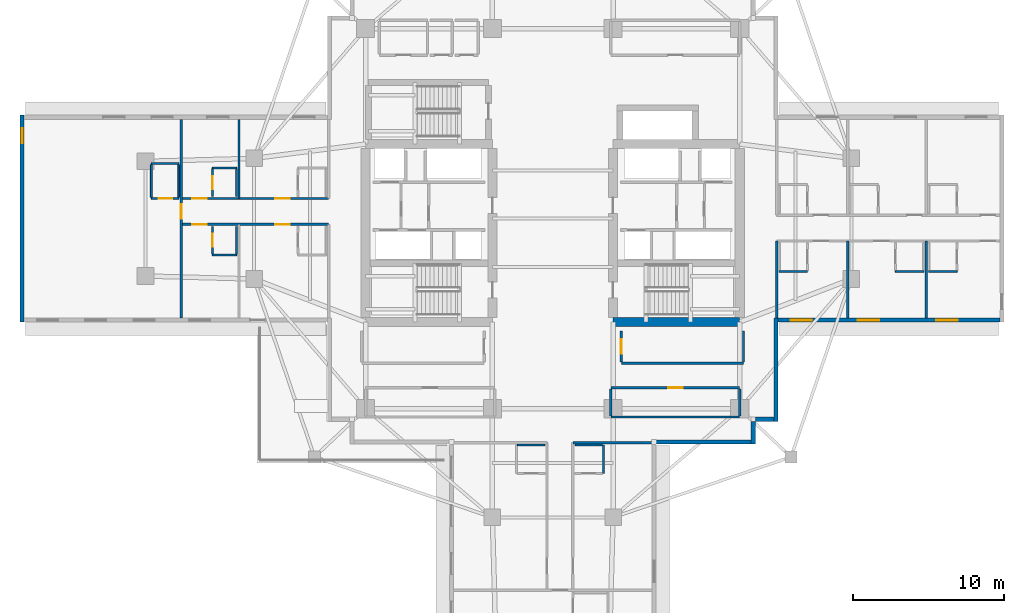
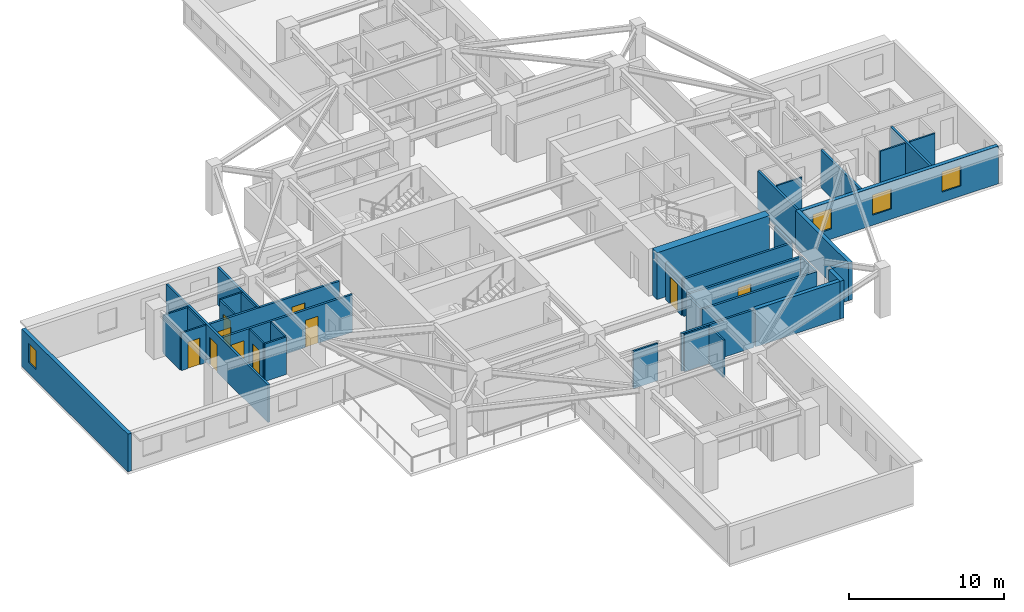
# One storey, part 4 of 13: 38 walls, 10 doors, 4 windows, 14 openings.
"""IFC4 building model written with IfcOpenShell, lengths in metres."""

from ifc_helpers import new_model, si_unit, direction, frame, frame_2d, origin, place, context, subcontext, project, spatial, rectangle, extrude, material, layer, layer_set, type_object, element, fill, save


model = new_model("IFC4")

# Units and contexts
model_context = context("Model", 3, precision=1e-05, world=origin(), true_north=direction((0.0, 1.0)))
body_context = subcontext(model_context, "Body", "Model", "MODEL_VIEW")
ifc_project = project(units=[si_unit("LENGTHUNIT", "METRE"), si_unit("AREAUNIT", "SQUARE_METRE"), si_unit("VOLUMEUNIT", "CUBIC_METRE"), si_unit("PLANEANGLEUNIT", "RADIAN"), si_unit("MASSUNIT", "GRAM", prefix="KILO")], contexts=[model_context])

# Site, building, storey
site_placement = place(None, origin())
site = spatial("IfcSite", under=ifc_project, at=site_placement, CompositionType="ELEMENT")
building_placement = place(site_placement, origin())
building = spatial("IfcBuilding", under=site, at=building_placement, Name="Qingluan Cross Belvedere", CompositionType="ELEMENT")
storey_placement = place(building_placement, frame((0.0, 0.0, 104.699951171875)))
storey = spatial("IfcBuildingStorey", under=building, at=storey_placement, Name="L26", CompositionType="ELEMENT", Elevation=104.699951171875)

# Walls
ifc_material_1 = material(Name="Concrete C60", Category="concrete")
ifc_layer_1 = layer(ifc_material_1, 0.60009765625, Name="CoreShearWall_600")
ifc_layer_set_1 = layer_set([ifc_layer_1], Name="Concrete C60")
wall_type_1 = type_object("IfcWallType", Name="CoreShearWall_600", PredefinedType="SHEAR", material=ifc_layer_set_1)
wall_1_placement = place(storey_placement, frame((4.0, -6.85009765625, 0.0), z_axis=(0.0, 0.0, 1.0), x_axis=(1.0, 0.0, 0.0)))
element("IfcWall", 1, at=wall_1_placement, inside=storey, type_object=wall_type_1, Name="Split core E shear wall L26-S", PredefinedType="SHEAR", context=body_context, shape_type="SweptSolid", body=[
    extrude(rectangle(XDim=8.39990234375, YDim=0.60009765625, at=frame_2d((4.199951171875, 0.0))), origin(), (0.0, 0.0, 1.0), 3.699951171875),
])
ifc_material_2 = material(Name="Gypsum plasterboard on steel stud acoustic partition", Category="steel")
ifc_layer_2 = layer(ifc_material_2, 0.159912109375, Name="CorridorPartition_160")
ifc_layer_set_2 = layer_set([ifc_layer_2], Name="Gypsum plasterboard on steel stud acoustic partition")
wall_type_2 = type_object("IfcWallType", Name="CorridorPartition_160", PredefinedType="PARTITIONING", material=ifc_layer_set_2)
wall_2_placement = place(storey_placement, frame((3.85009765625, -13.14990234375, 0.0), z_axis=(0.0, 0.0, 1.0), x_axis=(1.0, 0.0, 0.0)))
element("IfcWall", 2, at=wall_2_placement, inside=storey, type_object=wall_type_2, Name="Partition L26:q_se:S", PredefinedType="PARTITIONING", context=body_context, shape_type="SweptSolid", body=[
    extrude(rectangle(XDim=8.5498046875, YDim=0.159912109375, at=frame_2d((4.27490234375, 0.0))), origin(), (0.0, 0.0, 1.0), 2.9599609375),
])

# Wall, opening, door
wall_3_placement = place(storey_placement, frame((3.85009765625, -11.199951171875, 0.0), z_axis=(0.0, 0.0, 1.0), x_axis=(1.0, 0.0, 0.0)))
wall_3 = element("IfcWall", 3, at=wall_3_placement, inside=storey, type_object=wall_type_2, Name="Partition L26:q_se:N", PredefinedType="PARTITIONING", context=body_context, shape_type="SweptSolid", body=[
    extrude(rectangle(XDim=8.5498046875, YDim=0.159912109375, at=frame_2d((4.27490234375, 0.0))), origin(), (0.0, 0.0, 1.0), 2.9599609375),
])
opening_1_placement = place(wall_3_placement, frame((3.794921875, 0.0, 0.0)))
opening_1 = element("IfcOpeningElement", 4, at=opening_1_placement, cuts=wall_3, Name="Opening GD-10", PredefinedType="OPENING", context=body_context, shape_type="SweptSolid", body=[
    extrude(rectangle(XDim=0.9599609375, YDim=2.14990234375, at=frame_2d((0.47998046875, 1.074951171875))), frame((0.0, 0.08984375, 0.0), z_axis=(0.0, -1.0, 0.0), x_axis=(1.0, 0.0, 0.0)), (0.0, 0.0, 1.0), 0.179931640625),
])
ifc_material_3 = material(Name="Timber oak fire-rated acoustic guestroom door", Category="wood")
door_type_1 = type_object("IfcDoorType", Name="GuestEntryDoor_FD60", OperationType="NOTDEFINED", PredefinedType="DOOR", material=ifc_material_3)
door_1_placement = place(opening_1_placement, origin())
door_1 = element("IfcDoor", 5, at=door_1_placement, inside=storey, type_object=door_type_1, Name="Concierge business office L26 door", OperationType="SINGLE_SWING_LEFT", OverallHeight=2.14990234375, OverallWidth=0.9599609375, PredefinedType="DOOR", context=body_context, shape_type="SweptSolid", body=[
    extrude(rectangle(XDim=0.9599609375, YDim=2.14990234375, at=frame_2d((0.47998046875, 1.074951171875))), frame((0.0, 0.02490234375, 0.0), z_axis=(0.0, -1.0, 0.0), x_axis=(1.0, 0.0, 0.0)), (0.0, 0.0, 1.0), 0.050048828125),
])
fill(opening_1, door_1)

# Walls
for number, where, z_axis, x_axis, name in (
    (6, (3.85009765625, -13.06494140625, 0.0), (0.0, 0.0, 1.0), (0.0, 1.0, 0.0), "Partition L26:q_se:W"),
    (7, (12.39990234375, -13.06494140625, 0.0), (0.0, 0.0, 1.0), (0.0, 1.0, 0.0), "Partition L26:q_se:E"),
):
    element("IfcWall", number, at=place(storey_placement, frame(where, z_axis=z_axis, x_axis=x_axis)), inside=storey, type_object=wall_type_2, Name=name, PredefinedType="PARTITIONING", context=body_context, shape_type="SweptSolid", body=[
        extrude(rectangle(XDim=1.780029296875, YDim=0.159912109375, at=frame_2d((0.89013671875, 0.0))), origin(), (0.0, 0.0, 1.0), 2.9599609375),
    ])
wall_4_placement = place(storey_placement, frame((4.550048828125, -9.580078125, 0.0), z_axis=(0.0, 0.0, 1.0), x_axis=(1.0, 0.0, 0.0)))
element("IfcWall", 8, at=wall_4_placement, inside=storey, type_object=wall_type_2, Name="Partition L26:rec_st4:S", PredefinedType="PARTITIONING", context=body_context, shape_type="SweptSolid", body=[
    extrude(rectangle(XDim=8.099853515625, YDim=0.159912109375, at=frame_2d((4.0498046875, 0.0))), origin(), (0.0, 0.0, 1.0), 2.9599609375),
])

# Wall, opening, door
wall_5_placement = place(storey_placement, frame((4.550048828125, -9.4951171875, 0.0), z_axis=(0.0, 0.0, 1.0), x_axis=(0.0, 1.0, 0.0)))
wall_5 = element("IfcWall", 9, at=wall_5_placement, inside=storey, type_object=wall_type_2, Name="Partition L26:rec_st4:W", PredefinedType="PARTITIONING", context=body_context, shape_type="SweptSolid", body=[
    extrude(rectangle(XDim=2.06005859375, YDim=0.159912109375, at=frame_2d((1.030029296875, 0.0))), origin(), (0.0, 0.0, 1.0), 2.9599609375),
])
opening_2_placement = place(wall_5_placement, frame((0.550048828125, 0.0, 0.0)))
opening_2 = element("IfcOpeningElement", 10, at=opening_2_placement, cuts=wall_5, Name="Opening GD-10", PredefinedType="OPENING", context=body_context, shape_type="SweptSolid", body=[
    extrude(rectangle(XDim=0.9599609375, YDim=2.14990234375, at=frame_2d((0.47998046875, 1.074951171875))), frame((0.0, 0.08984375, 0.0), z_axis=(0.0, -1.0, 0.0), x_axis=(1.0, 0.0, 0.0)), (0.0, 0.0, 1.0), 0.179931640625),
])
door_2_placement = place(opening_2_placement, origin())
door_2 = element("IfcDoor", 11, at=door_2_placement, inside=storey, type_object=door_type_1, Name="Southeast club library room L26 door", OperationType="SINGLE_SWING_RIGHT", OverallHeight=2.14990234375, OverallWidth=0.9599609375, PredefinedType="DOOR", context=body_context, shape_type="SweptSolid", body=[
    extrude(rectangle(XDim=0.9599609375, YDim=2.14990234375, at=frame_2d((0.47998046875, 1.074951171875))), frame((0.0, 0.02490234375, 0.0), z_axis=(0.0, -1.0, 0.0), x_axis=(1.0, 0.0, 0.0)), (0.0, 0.0, 1.0), 0.050048828125),
])
fill(opening_2, door_2)

# Walls
wall_6_placement = place(storey_placement, frame((12.64990234375, -9.4951171875, 0.0), z_axis=(0.0, 0.0, 1.0), x_axis=(0.0, 1.0, 0.0)))
element("IfcWall", 12, at=wall_6_placement, inside=storey, type_object=wall_type_2, Name="Partition L26:rec_st4:E", PredefinedType="PARTITIONING", context=body_context, shape_type="SweptSolid", body=[
    extrude(rectangle(XDim=2.06005859375, YDim=0.159912109375, at=frame_2d((1.030029296875, 0.0))), origin(), (0.0, 0.0, 1.0), 2.9599609375),
])
for number, where, z_axis, x_axis, name in (
    (13, (14.85009765625, -1.47998046875, 0.0), (0.0, 0.0, 1.0), (0.0, -1.0, 0.0), "Partition L26:E:s1"),
    (14, (19.552978515625, -1.47998046875, 0.0), (0.0, 0.0, 1.0), (0.0, -1.0, 0.0), "Partition L26:E:d1_0"),
    (15, (24.763916015625, -1.47998046875, 0.0), (0.0, 0.0, 1.0), (0.0, -1.0, 0.0), "Partition L26:E:d1_1"),
):
    element("IfcWall", number, at=place(storey_placement, frame(where, z_axis=z_axis, x_axis=x_axis)), inside=storey, type_object=wall_type_2, Name=name, PredefinedType="PARTITIONING", context=body_context, shape_type="SweptSolid", body=[
        extrude(rectangle(XDim=5.092041015625, YDim=0.159912109375, at=frame_2d((2.5458984375, 0.0))), origin(), (0.0, 0.0, 1.0), 2.9599609375),
    ])

# Wall, openings, doors
wall_7_placement = place(storey_placement, frame((-14.85009765625, 1.340087890625, 0.0), z_axis=(0.0, 0.0, 1.0), x_axis=(-1.0, 0.0, 0.0)))
wall_7 = element("IfcWall", 16, at=wall_7_placement, inside=storey, type_object=wall_type_2, Name="Partition L26:W:c0", PredefinedType="PARTITIONING", context=body_context, shape_type="SweptSolid", body=[
    extrude(rectangle(XDim=9.699951171875, YDim=0.159912109375, at=frame_2d((4.85009765625, 0.0))), origin(), (0.0, 0.0, 1.0), 2.9599609375),
])
opening_3_placement = place(wall_7_placement, frame((2.574951171875, 0.0, 0.0)))
opening_3 = element("IfcOpeningElement", 17, at=opening_3_placement, cuts=wall_7, Name="Opening GD-10", PredefinedType="OPENING", context=body_context, shape_type="SweptSolid", body=[
    extrude(rectangle(XDim=0.9599609375, YDim=2.14990234375, at=frame_2d((0.47998046875, 1.074951171875))), frame((0.0, 0.08984375, 0.0), z_axis=(0.0, -1.0, 0.0), x_axis=(1.0, 0.0, 0.0)), (0.0, 0.0, 1.0), 0.179931640625),
])
opening_4_placement = place(wall_7_placement, frame((8.096923828125, 0.0, 0.0)))
opening_4 = element("IfcOpeningElement", 18, at=opening_4_placement, cuts=wall_7, Name="Opening GD-10", PredefinedType="OPENING", context=body_context, shape_type="SweptSolid", body=[
    extrude(rectangle(XDim=0.9599609375, YDim=2.14990234375, at=frame_2d((0.47998046875, 1.074951171875))), frame((0.0, 0.08984375, 0.0), z_axis=(0.0, -1.0, 0.0), x_axis=(1.0, 0.0, 0.0)), (0.0, 0.0, 1.0), 0.179931640625),
])
door_3_placement = place(opening_3_placement, origin())
door_3 = element("IfcDoor", 19, at=door_3_placement, inside=storey, type_object=door_type_1, Name="Guest entry fire door 2607", OperationType="SINGLE_SWING_RIGHT", OverallHeight=2.14990234375, OverallWidth=0.9599609375, PredefinedType="DOOR", context=body_context, shape_type="SweptSolid", body=[
    extrude(rectangle(XDim=0.9599609375, YDim=2.14990234375, at=frame_2d((0.47998046875, 1.074951171875))), frame((0.0, 0.02490234375, 0.0), z_axis=(0.0, -1.0, 0.0), x_axis=(1.0, 0.0, 0.0)), (0.0, 0.0, 1.0), 0.050048828125),
])
fill(opening_3, door_3)
door_4_placement = place(opening_4_placement, origin())
door_4 = element("IfcDoor", 20, at=door_4_placement, inside=storey, type_object=door_type_1, Name="Guest entry fire door 2608", OperationType="SINGLE_SWING_RIGHT", OverallHeight=2.14990234375, OverallWidth=0.9599609375, PredefinedType="DOOR", context=body_context, shape_type="SweptSolid", body=[
    extrude(rectangle(XDim=0.9599609375, YDim=2.14990234375, at=frame_2d((0.47998046875, 1.074951171875))), frame((0.0, 0.02490234375, 0.0), z_axis=(0.0, -1.0, 0.0), x_axis=(1.0, 0.0, 0.0)), (0.0, 0.0, 1.0), 0.050048828125),
])
fill(opening_4, door_4)

# Wall
wall_8_placement = place(storey_placement, frame((-20.800048828125, 1.340087890625, 0.0), z_axis=(0.0, 0.0, 1.0), x_axis=(0.0, 1.0, 0.0)))
element("IfcWall", 21, at=wall_8_placement, inside=storey, type_object=wall_type_2, Name="Partition L26:W:d0_0", PredefinedType="PARTITIONING", context=body_context, shape_type="SweptSolid", body=[
    extrude(rectangle(XDim=5.23193359375, YDim=0.159912109375, at=frame_2d((2.615966796875, 0.0))), origin(), (0.0, 0.0, 1.0), 2.9599609375),
])

# Wall, openings, doors
wall_9_placement = place(storey_placement, frame((-14.85009765625, -0.3798828125, 0.0), z_axis=(0.0, 0.0, 1.0), x_axis=(-1.0, 0.0, 0.0)))
wall_9 = element("IfcWall", 22, at=wall_9_placement, inside=storey, type_object=wall_type_2, Name="Partition L26:W:c1", PredefinedType="PARTITIONING", context=body_context, shape_type="SweptSolid", body=[
    extrude(rectangle(XDim=9.699951171875, YDim=0.159912109375, at=frame_2d((4.85009765625, 0.0))), origin(), (0.0, 0.0, 1.0), 2.9599609375),
])
opening_5_placement = place(wall_9_placement, frame((2.574951171875, 0.0, 0.0)))
opening_5 = element("IfcOpeningElement", 23, at=opening_5_placement, cuts=wall_9, Name="Opening GD-10", PredefinedType="OPENING", context=body_context, shape_type="SweptSolid", body=[
    extrude(rectangle(XDim=0.9599609375, YDim=2.14990234375, at=frame_2d((0.47998046875, 1.074951171875))), frame((0.0, 0.08984375, 0.0), z_axis=(0.0, -1.0, 0.0), x_axis=(1.0, 0.0, 0.0)), (0.0, 0.0, 1.0), 0.179931640625),
])
opening_6_placement = place(wall_9_placement, frame((8.096923828125, 0.0, 0.0)))
opening_6 = element("IfcOpeningElement", 24, at=opening_6_placement, cuts=wall_9, Name="Opening GD-10", PredefinedType="OPENING", context=body_context, shape_type="SweptSolid", body=[
    extrude(rectangle(XDim=0.9599609375, YDim=2.14990234375, at=frame_2d((0.47998046875, 1.074951171875))), frame((0.0, 0.08984375, 0.0), z_axis=(0.0, -1.0, 0.0), x_axis=(1.0, 0.0, 0.0)), (0.0, 0.0, 1.0), 0.179931640625),
])
door_5_placement = place(opening_5_placement, origin())
door_5 = element("IfcDoor", 25, at=door_5_placement, inside=storey, type_object=door_type_1, Name="Guest entry fire door 2609", OperationType="SINGLE_SWING_RIGHT", OverallHeight=2.14990234375, OverallWidth=0.9599609375, PredefinedType="DOOR", context=body_context, shape_type="SweptSolid", body=[
    extrude(rectangle(XDim=0.9599609375, YDim=2.14990234375, at=frame_2d((0.47998046875, 1.074951171875))), frame((0.0, 0.02490234375, 0.0), z_axis=(0.0, -1.0, 0.0), x_axis=(1.0, 0.0, 0.0)), (0.0, 0.0, 1.0), 0.050048828125),
])
fill(opening_5, door_5)
door_6_placement = place(opening_6_placement, origin())
door_6 = element("IfcDoor", 26, at=door_6_placement, inside=storey, type_object=door_type_1, Name="Guest entry fire door 2610", OperationType="SINGLE_SWING_RIGHT", OverallHeight=2.14990234375, OverallWidth=0.9599609375, PredefinedType="DOOR", context=body_context, shape_type="SweptSolid", body=[
    extrude(rectangle(XDim=0.9599609375, YDim=2.14990234375, at=frame_2d((0.47998046875, 1.074951171875))), frame((0.0, 0.02490234375, 0.0), z_axis=(0.0, -1.0, 0.0), x_axis=(1.0, 0.0, 0.0)), (0.0, 0.0, 1.0), 0.050048828125),
])
fill(opening_6, door_6)

# Wall
wall_10_placement = place(storey_placement, frame((1.340087890625, -14.85009765625, 0.0), z_axis=(0.0, 0.0, 1.0), x_axis=(1.0, 0.0, 0.0)))
element("IfcWall", 27, at=wall_10_placement, inside=storey, type_object=wall_type_2, Name="Partition L26:S:s0", PredefinedType="PARTITIONING", context=body_context, shape_type="SweptSolid", body=[
    extrude(rectangle(XDim=5.3798828125, YDim=0.159912109375, at=frame_2d((2.68994140625, 0.0))), origin(), (0.0, 0.0, 1.0), 2.9599609375),
])

# Wall, opening, door
wall_11_placement = place(storey_placement, frame((-24.6298828125, -6.572021484375, 0.0), z_axis=(0.0, 0.0, 1.0), x_axis=(0.0, 1.0, 0.0)))
wall_11 = element("IfcWall", 28, at=wall_11_placement, inside=storey, type_object=wall_type_2, Name="Partition L26:Wcap:in", PredefinedType="PARTITIONING", context=body_context, shape_type="SweptSolid", body=[
    extrude(rectangle(XDim=13.14404296875, YDim=0.159912109375, at=frame_2d((6.572021484375, 0.0))), origin(), (0.0, 0.0, 1.0), 2.9599609375),
])
opening_7_placement = place(wall_11_placement, frame((6.572021484375, 0.0, 0.0)))
opening_7 = element("IfcOpeningElement", 29, at=opening_7_placement, cuts=wall_11, Name="Opening GD-10", PredefinedType="OPENING", context=body_context, shape_type="SweptSolid", body=[
    extrude(rectangle(XDim=0.9599609375, YDim=2.14990234375, at=frame_2d((0.47998046875, 1.074951171875))), frame((0.0, 0.08984375, 0.0), z_axis=(0.0, -1.0, 0.0), x_axis=(1.0, 0.0, 0.0)), (0.0, 0.0, 1.0), 0.179931640625),
])
door_7_placement = place(opening_7_placement, origin())
door_7 = element("IfcDoor", 30, at=door_7_placement, inside=storey, type_object=door_type_1, Name="Presidential suite entrance door L26W", OperationType="SINGLE_SWING_LEFT", OverallHeight=2.14990234375, OverallWidth=0.9599609375, PredefinedType="DOOR", context=body_context, shape_type="SweptSolid", body=[
    extrude(rectangle(XDim=0.9599609375, YDim=2.14990234375, at=frame_2d((0.47998046875, 1.074951171875))), frame((0.0, 0.02490234375, 0.0), z_axis=(0.0, -1.0, 0.0), x_axis=(1.0, 0.0, 0.0)), (0.0, 0.0, 1.0), 0.050048828125),
])
fill(opening_7, door_7)

# Walls
ifc_material_4 = material(Name="Moisture-resistant gypsum board lining")
ifc_layer_3 = layer(ifc_material_4, 0.1201171875, Name="EnsuiteWetPartition_120")
ifc_layer_set_3 = layer_set([ifc_layer_3], Name="Moisture-resistant gypsum board lining")
wall_type_3 = type_object("IfcWallType", Name="EnsuiteWetPartition_120", PredefinedType="PARTITIONING", material=ifc_layer_set_3)
for number, where, z_axis, x_axis, name in (
    (31, (15.010009765625, -3.5048828125, 0.0), (0.0, 0.0, 1.0), (1.0, 0.0, 0.0), "Partition L26:E:bc1_0"),
    (32, (22.72412109375, -3.5048828125, 0.0), (0.0, 0.0, 1.0), (1.0, 0.0, 0.0), "Partition L26:E:bc1_1"),
    (33, (24.924072265625, -3.5048828125, 0.0), (0.0, 0.0, 1.0), (1.0, 0.0, 0.0), "Partition L26:E:bc1_2"),
):
    element("IfcWall", number, at=place(storey_placement, frame(where, z_axis=z_axis, x_axis=x_axis)), inside=storey, type_object=wall_type_3, Name=name, PredefinedType="PARTITIONING", context=body_context, shape_type="SweptSolid", body=[
        extrude(rectangle(XDim=1.8798828125, YDim=0.1201171875, at=frame_2d((0.93994140625, 0.0))), origin(), (0.0, 0.0, 1.0), 2.9599609375),
    ])

# Wall, opening, door
wall_12_placement = place(storey_placement, frame((-22.56005859375, 1.47998046875, 0.0), z_axis=(0.0, 0.0, 1.0), x_axis=(0.0, 1.0, 0.0)))
wall_12 = element("IfcWall", 34, at=wall_12_placement, inside=storey, type_object=wall_type_3, Name="Partition L26:W:bs0_1", PredefinedType="PARTITIONING", context=body_context, shape_type="SweptSolid", body=[
    extrude(rectangle(XDim=1.820068359375, YDim=0.1201171875, at=frame_2d((0.91015625, 0.0))), origin(), (0.0, 0.0, 1.0), 2.9599609375),
])
opening_8_placement = place(wall_12_placement, frame((0.469970703125, 0.0, 0.0)))
opening_8 = element("IfcOpeningElement", 35, at=opening_8_placement, cuts=wall_12, Name="Opening BD-09", PredefinedType="OPENING", context=body_context, shape_type="SweptSolid", body=[
    extrude(rectangle(XDim=0.8798828125, YDim=2.10009765625, at=frame_2d((0.43994140625, 1.050048828125))), frame((0.0, 0.070068359375, 0.0), z_axis=(0.0, -1.0, 0.0), x_axis=(1.0, 0.0, 0.0)), (0.0, 0.0, 1.0), 0.14013671875),
])
ifc_material_5 = material(Name="Moisture-sealed timber en-suite door", Category="wood")
door_type_2 = type_object("IfcDoorType", Name="BathroomDoor_880", OperationType="NOTDEFINED", PredefinedType="DOOR", material=ifc_material_5)
door_8_placement = place(opening_8_placement, origin())
door_8 = element("IfcDoor", 36, at=door_8_placement, inside=storey, type_object=door_type_2, Name="Bathroom door 2608", OperationType="SINGLE_SWING_LEFT", OverallHeight=2.10009765625, OverallWidth=0.8798828125, PredefinedType="DOOR", context=body_context, shape_type="SweptSolid", body=[
    extrude(rectangle(XDim=0.8798828125, YDim=2.10009765625, at=frame_2d((0.43994140625, 1.050048828125))), frame((0.0, 0.02490234375, 0.0), z_axis=(0.0, -1.0, 0.0), x_axis=(1.0, 0.0, 0.0)), (0.0, 0.0, 1.0), 0.050048828125),
])
fill(opening_8, door_8)

# Walls
wall_13_placement = place(storey_placement, frame((-20.9599609375, 1.47998046875, 0.0), z_axis=(0.0, 0.0, 1.0), x_axis=(0.0, 1.0, 0.0)))
element("IfcWall", 37, at=wall_13_placement, inside=storey, type_object=wall_type_3, Name="Partition L26:W:bw0_1", PredefinedType="PARTITIONING", context=body_context, shape_type="SweptSolid", body=[
    extrude(rectangle(XDim=1.820068359375, YDim=0.1201171875, at=frame_2d((0.91015625, 0.0))), origin(), (0.0, 0.0, 1.0), 2.9599609375),
])
wall_14_placement = place(storey_placement, frame((-20.9599609375, 3.364990234375, 0.0), z_axis=(0.0, 0.0, 1.0), x_axis=(-1.0, 0.0, 0.0)))
element("IfcWall", 38, at=wall_14_placement, inside=storey, type_object=wall_type_3, Name="Partition L26:W:bn0_1", PredefinedType="PARTITIONING", context=body_context, shape_type="SweptSolid", body=[
    extrude(rectangle(XDim=1.60009765625, YDim=0.1201171875, at=frame_2d((0.800048828125, 0.0))), origin(), (0.0, 0.0, 1.0), 2.9599609375),
])

# Wall, opening, door
wall_15_placement = place(storey_placement, frame((-22.56005859375, -2.340087890625, 0.0), z_axis=(0.0, 0.0, 1.0), x_axis=(0.0, 1.0, 0.0)))
wall_15 = element("IfcWall", 39, at=wall_15_placement, inside=storey, type_object=wall_type_3, Name="Partition L26:W:bs1_1", PredefinedType="PARTITIONING", context=body_context, shape_type="SweptSolid", body=[
    extrude(rectangle(XDim=1.820068359375, YDim=0.1201171875, at=frame_2d((0.91015625, 0.0))), origin(), (0.0, 0.0, 1.0), 2.9599609375),
])
opening_9_placement = place(wall_15_placement, frame((0.469970703125, 0.0, 0.0)))
opening_9 = element("IfcOpeningElement", 40, at=opening_9_placement, cuts=wall_15, Name="Opening BD-09", PredefinedType="OPENING", context=body_context, shape_type="SweptSolid", body=[
    extrude(rectangle(XDim=0.8798828125, YDim=2.10009765625, at=frame_2d((0.43994140625, 1.050048828125))), frame((0.0, 0.070068359375, 0.0), z_axis=(0.0, -1.0, 0.0), x_axis=(1.0, 0.0, 0.0)), (0.0, 0.0, 1.0), 0.14013671875),
])
door_9_placement = place(opening_9_placement, origin())
door_9 = element("IfcDoor", 41, at=door_9_placement, inside=storey, type_object=door_type_2, Name="Bathroom door 2610", OperationType="SINGLE_SWING_LEFT", OverallHeight=2.10009765625, OverallWidth=0.8798828125, PredefinedType="DOOR", context=body_context, shape_type="SweptSolid", body=[
    extrude(rectangle(XDim=0.8798828125, YDim=2.10009765625, at=frame_2d((0.43994140625, 1.050048828125))), frame((0.0, 0.02490234375, 0.0), z_axis=(0.0, -1.0, 0.0), x_axis=(1.0, 0.0, 0.0)), (0.0, 0.0, 1.0), 0.050048828125),
])
fill(opening_9, door_9)

# Walls
wall_16_placement = place(storey_placement, frame((-20.9599609375, -2.340087890625, 0.0), z_axis=(0.0, 0.0, 1.0), x_axis=(0.0, 1.0, 0.0)))
element("IfcWall", 42, at=wall_16_placement, inside=storey, type_object=wall_type_3, Name="Partition L26:W:bw1_1", PredefinedType="PARTITIONING", context=body_context, shape_type="SweptSolid", body=[
    extrude(rectangle(XDim=1.820068359375, YDim=0.1201171875, at=frame_2d((0.91015625, 0.0))), origin(), (0.0, 0.0, 1.0), 2.9599609375),
])
wall_17_placement = place(storey_placement, frame((-20.9599609375, -2.405029296875, 0.0), z_axis=(0.0, 0.0, 1.0), x_axis=(-1.0, 0.0, 0.0)))
element("IfcWall", 43, at=wall_17_placement, inside=storey, type_object=wall_type_3, Name="Partition L26:W:bc1_1", PredefinedType="PARTITIONING", context=body_context, shape_type="SweptSolid", body=[
    extrude(rectangle(XDim=1.60009765625, YDim=0.1201171875, at=frame_2d((0.800048828125, 0.0))), origin(), (0.0, 0.0, 1.0), 2.9599609375),
])
wall_18_placement = place(storey_placement, frame((1.47998046875, -15.010009765625, 0.0), z_axis=(0.0, 0.0, 1.0), x_axis=(1.0, 0.0, 0.0)))
element("IfcWall", 44, at=wall_18_placement, inside=storey, type_object=wall_type_3, Name="Partition L26:S:bw0_0", PredefinedType="PARTITIONING", context=body_context, shape_type="SweptSolid", body=[
    extrude(rectangle(XDim=1.820068359375, YDim=0.1201171875, at=frame_2d((0.91015625, 0.0))), origin(), (0.0, 0.0, 1.0), 2.9599609375),
])
wall_19_placement = place(storey_placement, frame((3.364990234375, -15.010009765625, 0.0), z_axis=(0.0, 0.0, 1.0), x_axis=(0.0, -1.0, 0.0)))
element("IfcWall", 45, at=wall_19_placement, inside=storey, type_object=wall_type_3, Name="Partition L26:S:bn0_0", PredefinedType="PARTITIONING", context=body_context, shape_type="SweptSolid", body=[
    extrude(rectangle(XDim=1.8798828125, YDim=0.1201171875, at=frame_2d((0.93994140625, 0.0))), origin(), (0.0, 0.0, 1.0), 2.9599609375),
])
wall_20_placement = place(storey_placement, frame((-2.340087890625, -15.010009765625, 0.0), z_axis=(0.0, 0.0, 1.0), x_axis=(1.0, 0.0, 0.0)))
element("IfcWall", 46, at=wall_20_placement, inside=storey, type_object=wall_type_3, Name="Partition L26:S:bw1_0", PredefinedType="PARTITIONING", context=body_context, shape_type="SweptSolid", body=[
    extrude(rectangle(XDim=1.820068359375, YDim=0.1201171875, at=frame_2d((0.91015625, 0.0))), origin(), (0.0, 0.0, 1.0), 2.9599609375),
])
for number, where, z_axis, x_axis, name in (
    (47, (-24.7900390625, 1.409912109375, 0.0), (0.0, 0.0, 1.0), (0.0, 1.0, 0.0), "Partition L26:Wcap:ba"),
    (48, (-26.610107421875, 1.409912109375, 0.0), (0.0, 0.0, 1.0), (0.0, 1.0, 0.0), "Partition L26:Wcap:bb"),
):
    element("IfcWall", number, at=place(storey_placement, frame(where, z_axis=z_axis, x_axis=x_axis)), inside=storey, type_object=wall_type_3, Name=name, PredefinedType="PARTITIONING", context=body_context, shape_type="SweptSolid", body=[
        extrude(rectangle(XDim=2.18017578125, YDim=0.1201171875, at=frame_2d((1.090087890625, 0.0))), origin(), (0.0, 0.0, 1.0), 2.9599609375),
    ])

# Wall, opening, door
wall_21_placement = place(storey_placement, frame((-24.7900390625, 1.340087890625, 0.0), z_axis=(0.0, 0.0, 1.0), x_axis=(-1.0, 0.0, 0.0)))
wall_21 = element("IfcWall", 49, at=wall_21_placement, inside=storey, type_object=wall_type_3, Name="Partition L26:Wcap:bs", PredefinedType="PARTITIONING", context=body_context, shape_type="SweptSolid", body=[
    extrude(rectangle(XDim=1.820068359375, YDim=0.1201171875, at=frame_2d((0.91015625, 0.0))), origin(), (0.0, 0.0, 1.0), 2.9599609375),
])
opening_10_placement = place(wall_21_placement, frame((0.449951171875, 0.0, 0.0)))
opening_10 = element("IfcOpeningElement", 50, at=opening_10_placement, cuts=wall_21, Name="Opening BD-09", PredefinedType="OPENING", context=body_context, shape_type="SweptSolid", body=[
    extrude(rectangle(XDim=0.8798828125, YDim=2.10009765625, at=frame_2d((0.43994140625, 1.050048828125))), frame((0.0, 0.070068359375, 0.0), z_axis=(0.0, -1.0, 0.0), x_axis=(1.0, 0.0, 0.0)), (0.0, 0.0, 1.0), 0.14013671875),
])
door_10_placement = place(opening_10_placement, origin())
door_10 = element("IfcDoor", 51, at=door_10_placement, inside=storey, type_object=door_type_2, Name="En-suite bathroom door L26W", OperationType="SINGLE_SWING_RIGHT", OverallHeight=2.10009765625, OverallWidth=0.8798828125, PredefinedType="DOOR", context=body_context, shape_type="SweptSolid", body=[
    extrude(rectangle(XDim=0.8798828125, YDim=2.10009765625, at=frame_2d((0.43994140625, 1.050048828125))), frame((0.0, 0.02490234375, 0.0), z_axis=(0.0, -1.0, 0.0), x_axis=(1.0, 0.0, 0.0)), (0.0, 0.0, 1.0), 0.050048828125),
])
fill(opening_10, door_10)

# Wall
wall_22_placement = place(storey_placement, frame((-24.7900390625, 3.659912109375, 0.0), z_axis=(0.0, 0.0, 1.0), x_axis=(-1.0, 0.0, 0.0)))
element("IfcWall", 52, at=wall_22_placement, inside=storey, type_object=wall_type_3, Name="Partition L26:Wcap:bn", PredefinedType="PARTITIONING", context=body_context, shape_type="SweptSolid", body=[
    extrude(rectangle(XDim=1.820068359375, YDim=0.1201171875, at=frame_2d((0.91015625, 0.0))), origin(), (0.0, 0.0, 1.0), 2.9599609375),
])

# Wall, openings, windows
ifc_material_6 = material(Name="Precast concrete C45", Category="concrete")
ifc_layer_4 = layer(ifc_material_6, 0.280029296875, Name="PrecastFacadeWall_280")
ifc_layer_set_4 = layer_set([ifc_layer_4], Name="Precast concrete C45")
wall_type_4 = type_object("IfcWallType", Name="PrecastFacadeWall_280", PredefinedType="STANDARD", material=ifc_layer_set_4)
wall_23_placement = place(storey_placement, frame((14.93994140625, -6.719970703125, 0.0), z_axis=(0.0, 0.0, 1.0), x_axis=(1.0, 0.0, 0.0)))
wall_23 = element("IfcWall", 53, at=wall_23_placement, inside=storey, type_object=wall_type_4, Name="Facade wall L26-EA", PredefinedType="STANDARD", context=body_context, shape_type="SweptSolid", body=[
    extrude(rectangle(XDim=14.699951171875, YDim=0.280029296875, at=frame_2d((7.35009765625, 0.0))), origin(), (0.0, 0.0, 1.0), 2.969970703125),
])
opening_11_placement = place(wall_23_placement, frame((0.85009765625, 0.0, 0.800048828125)))
opening_11 = element("IfcOpeningElement", 54, at=opening_11_placement, cuts=wall_23, Name="Opening W-01", PredefinedType="OPENING", context=body_context, shape_type="SweptSolid", body=[
    extrude(rectangle(XDim=1.39990234375, YDim=1.60009765625, at=frame_2d((0.699951171875, 0.800048828125))), frame((0.0, 0.14990234375, 0.0), z_axis=(0.0, -1.0, 0.0), x_axis=(1.0, 0.0, 0.0)), (0.0, 0.0, 1.0), 0.300048828125),
])
opening_12_placement = place(wall_23_placement, frame((5.300048828125, 0.0, 0.800048828125)))
opening_12 = element("IfcOpeningElement", 55, at=opening_12_placement, cuts=wall_23, Name="Opening W-01", PredefinedType="OPENING", context=body_context, shape_type="SweptSolid", body=[
    extrude(rectangle(XDim=1.39990234375, YDim=1.60009765625, at=frame_2d((0.699951171875, 0.800048828125))), frame((0.0, 0.14990234375, 0.0), z_axis=(0.0, -1.0, 0.0), x_axis=(1.0, 0.0, 0.0)), (0.0, 0.0, 1.0), 0.300048828125),
])
opening_13_placement = place(wall_23_placement, frame((10.5, 0.0, 0.800048828125)))
opening_13 = element("IfcOpeningElement", 56, at=opening_13_placement, cuts=wall_23, Name="Opening W-01", PredefinedType="OPENING", context=body_context, shape_type="SweptSolid", body=[
    extrude(rectangle(XDim=1.39990234375, YDim=1.60009765625, at=frame_2d((0.699951171875, 0.800048828125))), frame((0.0, 0.14990234375, 0.0), z_axis=(0.0, -1.0, 0.0), x_axis=(1.0, 0.0, 0.0)), (0.0, 0.0, 1.0), 0.300048828125),
])
ifc_material_7 = material(Name="Thermally broken triple Low-E glass in aluminium frame", Category="aluminium")
window_type_1 = type_object("IfcWindowType", Name="TriRibbonWin_1400x1600", PartitioningType="SINGLE_PANEL", PredefinedType="WINDOW", material=ifc_material_7)
window_1_placement = place(opening_11_placement, origin())
window_1 = element("IfcWindow", 57, at=window_1_placement, inside=storey, type_object=window_type_1, Name="Ribbon window L26-EA-1", OverallHeight=1.60009765625, OverallWidth=1.39990234375, PartitioningType="SINGLE_PANEL", PredefinedType="WINDOW", context=body_context, shape_type="SweptSolid", body=[
    extrude(rectangle(XDim=1.39990234375, YDim=1.60009765625, at=frame_2d((0.699951171875, 0.800048828125))), frame((0.0, 0.030029296875, 0.0), z_axis=(0.0, -1.0, 0.0), x_axis=(1.0, 0.0, 0.0)), (0.0, 0.0, 1.0), 0.06005859375),
])
fill(opening_11, window_1)
window_2_placement = place(opening_12_placement, origin())
window_2 = element("IfcWindow", 58, at=window_2_placement, inside=storey, type_object=window_type_1, Name="Ribbon window L26-EA-2", OverallHeight=1.60009765625, OverallWidth=1.39990234375, PartitioningType="SINGLE_PANEL", PredefinedType="WINDOW", context=body_context, shape_type="SweptSolid", body=[
    extrude(rectangle(XDim=1.39990234375, YDim=1.60009765625, at=frame_2d((0.699951171875, 0.800048828125))), frame((0.0, 0.030029296875, 0.0), z_axis=(0.0, -1.0, 0.0), x_axis=(1.0, 0.0, 0.0)), (0.0, 0.0, 1.0), 0.06005859375),
])
fill(opening_12, window_2)
window_3_placement = place(opening_13_placement, origin())
window_3 = element("IfcWindow", 59, at=window_3_placement, inside=storey, type_object=window_type_1, Name="Ribbon window L26-EA-3", OverallHeight=1.60009765625, OverallWidth=1.39990234375, PartitioningType="SINGLE_PANEL", PredefinedType="WINDOW", context=body_context, shape_type="SweptSolid", body=[
    extrude(rectangle(XDim=1.39990234375, YDim=1.60009765625, at=frame_2d((0.699951171875, 0.800048828125))), frame((0.0, 0.030029296875, 0.0), z_axis=(0.0, -1.0, 0.0), x_axis=(1.0, 0.0, 0.0)), (0.0, 0.0, 1.0), 0.06005859375),
])
fill(opening_13, window_3)

# Wall, opening, window
wall_24_placement = place(storey_placement, frame((-35.179931640625, 6.860107421875, 0.0), z_axis=(0.0, 0.0, 1.0), x_axis=(0.0, -1.0, 0.0)))
wall_24 = element("IfcWall", 60, at=wall_24_placement, inside=storey, type_object=wall_type_4, Name="Arm tip precast facade wall L26-W", PredefinedType="STANDARD", context=body_context, shape_type="SweptSolid", body=[
    extrude(rectangle(XDim=13.72021484375, YDim=0.280029296875, at=frame_2d((6.860107421875, 0.0))), origin(), (0.0, 0.0, 1.0), 2.969970703125),
])
opening_14_placement = place(wall_24_placement, frame((0.85009765625, 0.0, 0.85009765625)))
opening_14 = element("IfcOpeningElement", 61, at=opening_14_placement, cuts=wall_24, Name="Opening W-03", PredefinedType="OPENING", context=body_context, shape_type="SweptSolid", body=[
    extrude(rectangle(XDim=1.0, YDim=1.5, at=frame_2d((0.5, 0.75))), frame((0.0, 0.14990234375, 0.0), z_axis=(0.0, -1.0, 0.0), x_axis=(1.0, 0.0, 0.0)), (0.0, 0.0, 1.0), 0.300048828125),
])
ifc_material_8 = material(Name="Thermally broken triple Low-E glass in aluminium frame", Category="aluminium")
window_type_2 = type_object("IfcWindowType", Name="TriApexWin_1000x1500", PartitioningType="SINGLE_PANEL", PredefinedType="WINDOW", material=ifc_material_8)
window_4_placement = place(opening_14_placement, origin())
window_4 = element("IfcWindow", 62, at=window_4_placement, inside=storey, type_object=window_type_2, Name="Arm tip triangular window L26-W", OverallHeight=1.5, OverallWidth=1.0, PartitioningType="SINGLE_PANEL", PredefinedType="WINDOW", context=body_context, shape_type="SweptSolid", body=[
    extrude(rectangle(XDim=1.0, YDim=1.5, at=frame_2d((0.5, 0.75))), frame((0.0, 0.030029296875, 0.0), z_axis=(0.0, -1.0, 0.0), x_axis=(1.0, 0.0, 0.0)), (0.0, 0.0, 1.0), 0.06005859375),
])
fill(opening_14, window_4)

# Walls
wall_25_placement = place(storey_placement, frame((14.800048828125, -6.580078125, 0.0), z_axis=(0.0, 0.0, 1.0), x_axis=(0.0, -1.0, 0.0)))
element("IfcWall", 63, at=wall_25_placement, inside=storey, type_object=wall_type_4, Name="Corner wall L26-SE1", PredefinedType="STANDARD", context=body_context, shape_type="SweptSolid", body=[
    extrude(rectangle(XDim=6.85986328125, YDim=0.280029296875, at=frame_2d((3.429931640625, 0.0))), origin(), (0.0, 0.0, 1.0), 2.969970703125),
])
wall_26_placement = place(storey_placement, frame((14.659912109375, -13.300048828125, 0.0), z_axis=(0.0, 0.0, 1.0), x_axis=(-1.0, 0.0, 0.0)))
element("IfcWall", 64, at=wall_26_placement, inside=storey, type_object=wall_type_4, Name="Corner wall L26-SE2", PredefinedType="STANDARD", context=body_context, shape_type="SweptSolid", body=[
    extrude(rectangle(XDim=1.219970703125, YDim=0.280029296875, at=frame_2d((0.60986328125, 0.0))), origin(), (0.0, 0.0, 1.0), 2.969970703125),
])
wall_27_placement = place(storey_placement, frame((13.300048828125, -13.43994140625, 0.0), z_axis=(0.0, 0.0, 1.0), x_axis=(0.0, -1.0, 0.0)))
element("IfcWall", 65, at=wall_27_placement, inside=storey, type_object=wall_type_4, Name="Corner wall L26-SE3", PredefinedType="STANDARD", context=body_context, shape_type="SweptSolid", body=[
    extrude(rectangle(XDim=1.5, YDim=0.280029296875, at=frame_2d((0.75, 0.0))), origin(), (0.0, 0.0, 1.0), 2.969970703125),
])
wall_28_placement = place(storey_placement, frame((13.159912109375, -14.800048828125, 0.0), z_axis=(0.0, 0.0, 1.0), x_axis=(-1.0, 0.0, 0.0)))
element("IfcWall", 66, at=wall_28_placement, inside=storey, type_object=wall_type_4, Name="Corner wall L26-SE4", PredefinedType="STANDARD", context=body_context, shape_type="SweptSolid", body=[
    extrude(rectangle(XDim=6.2998046875, YDim=0.280029296875, at=frame_2d((3.14990234375, 0.0))), origin(), (0.0, 0.0, 1.0), 2.969970703125),
])

save(model, "model.ifc")
